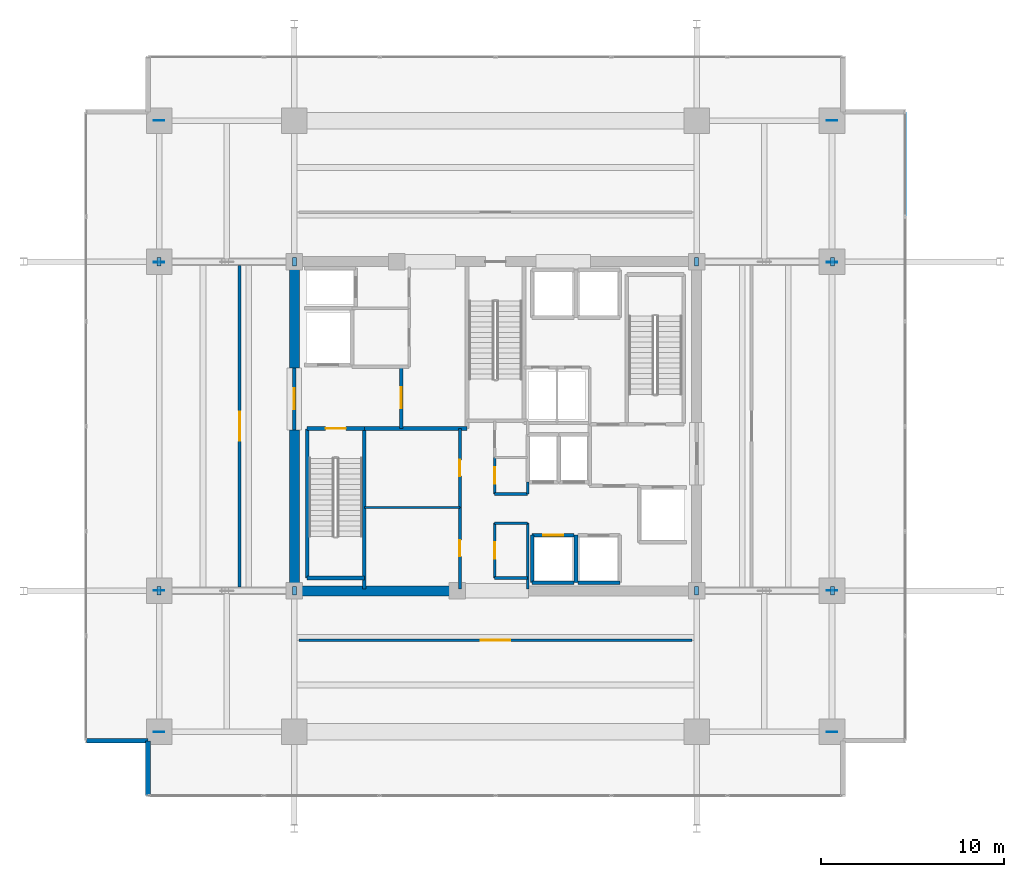
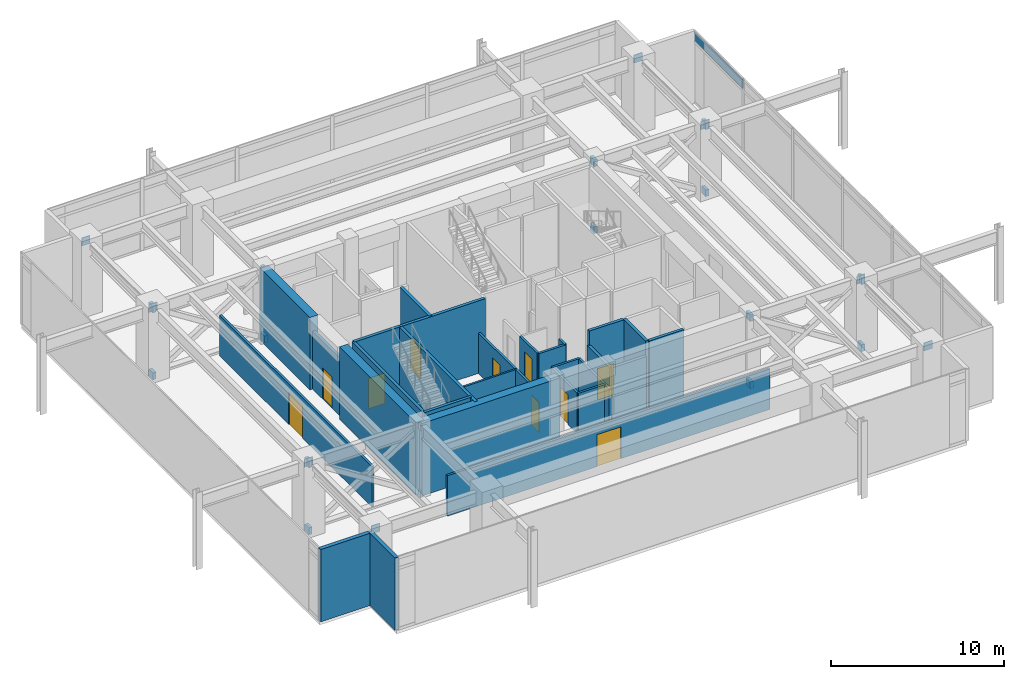
# One storey, part 18 of 21: 29 walls, 25 plates, 10 doors, 10 openings, 1 element without a shape of its own.
"""IFC4 building model written with IfcOpenShell, lengths in metres."""

from ifc_helpers import new_model, si_unit, direction, frame, frame_2d, origin, origin_2d, place, context, subcontext, project, spatial, rectangle, extrude, material, layer, layer_set, type_object, element, fill, aggregate, save


model = new_model("IFC4")

# Units and contexts
model_context = context("Model", 3, precision=1e-05, world=origin(), true_north=direction((0.0, 1.0)))
body_context = subcontext(model_context, "Body", "Model", "MODEL_VIEW")
ifc_project = project(units=[si_unit("LENGTHUNIT", "METRE"), si_unit("AREAUNIT", "SQUARE_METRE"), si_unit("VOLUMEUNIT", "CUBIC_METRE"), si_unit("PLANEANGLEUNIT", "RADIAN"), si_unit("MASSUNIT", "GRAM", prefix="KILO")], contexts=[model_context])

# Site, building, storey
site_placement = place(None, origin())
site = spatial("IfcSite", under=ifc_project, at=site_placement, CompositionType="ELEMENT")
building_placement = place(site_placement, origin())
building = spatial("IfcBuilding", under=site, at=building_placement, Name="Kovane Verandah Tower", CompositionType="ELEMENT")
storey_placement = place(building_placement, frame((0.0, 0.0, 189.39990234375)))
storey = spatial("IfcBuildingStorey", under=building, at=storey_placement, Name="L44", CompositionType="ELEMENT", Elevation=189.39990234375)

# Plates
ifc_material_1 = material(Name="Steel S460", Category="steel")
ifc_layer_1 = layer(ifc_material_1, 0.050048828125)
ifc_layer_set_1 = layer_set([ifc_layer_1], Name="Steel S460")
plate_type_1 = type_object("IfcPlateType", Name="PL-CAP-50", PredefinedType="SHEET", material=ifc_layer_set_1)
for number, where, z_axis, x_axis, name in (
    (1, (29.016845703125, 18.5, -0.130615234375), (0.0, 0.0, 1.0), (-1.0, 0.0, 0.0), "OT-D1-OW1-L44-P0"),
    (2, (21.5830078125, 18.5, 4.5908203125), (0.0, 0.0, 1.0), (-1.0, 0.0, 0.0), "OT-D1-OW1-L44-P1"),
    (3, (21.5830078125, 18.5, -0.130615234375), (0.0, 0.0, 1.0), (1.0, 0.0, 0.0), "OT-D2A-OW1-L44-P0"),
    (4, (29.016845703125, 18.5, 4.5908203125), (0.0, 0.0, 1.0), (1.0, 0.0, 0.0), "OT-D2B-OW1-L44-P1"),
    (5, (29.016845703125, 36.5, -0.130615234375), (0.0, 0.0, 1.0), (-1.0, 0.0, 0.0), "OT-D1-OW2-L44-P0"),
    (6, (21.5830078125, 36.5, 4.5908203125), (0.0, 0.0, 1.0), (-1.0, 0.0, 0.0), "OT-D1-OW2-L44-P1"),
    (7, (21.5830078125, 36.5, -0.130615234375), (0.0, 0.0, 1.0), (1.0, 0.0, 0.0), "OT-D2A-OW2-L44-P0"),
    (8, (29.016845703125, 36.5, 4.5908203125), (0.0, 0.0, 1.0), (1.0, 0.0, 0.0), "OT-D2B-OW2-L44-P1"),
    (9, (50.983154296875, 18.5, -0.130615234375), (0.0, 0.0, 1.0), (1.0, 0.0, 0.0), "OT-D1-OE1-L44-P0"),
    (10, (58.4169921875, 18.5, 4.5908203125), (0.0, 0.0, 1.0), (1.0, 0.0, 0.0), "OT-D1-OE1-L44-P1"),
    (11, (58.4169921875, 18.5, -0.130615234375), (0.0, 0.0, 1.0), (-1.0, 0.0, 0.0), "OT-D2A-OE1-L44-P0"),
    (12, (50.983154296875, 18.5, 4.5908203125), (0.0, 0.0, 1.0), (-1.0, 0.0, 0.0), "OT-D2B-OE1-L44-P1"),
    (13, (50.983154296875, 36.5, -0.130615234375), (0.0, 0.0, 1.0), (1.0, 0.0, 0.0), "OT-D1-OE2-L44-P0"),
    (14, (58.4169921875, 36.5, 4.5908203125), (0.0, 0.0, 1.0), (1.0, 0.0, 0.0), "OT-D1-OE2-L44-P1"),
    (15, (58.4169921875, 36.5, -0.130615234375), (0.0, 0.0, 1.0), (-1.0, 0.0, 0.0), "OT-D2A-OE2-L44-P0"),
    (16, (50.983154296875, 36.5, 4.5908203125), (0.0, 0.0, 1.0), (-1.0, 0.0, 0.0), "OT-D2B-OE2-L44-P1"),
):
    element("IfcPlate", number, at=place(storey_placement, frame(where, z_axis=z_axis, x_axis=x_axis)), inside=storey, type_object=plate_type_1, Name=name, PredefinedType="SHEET", context=body_context, shape_type="SweptSolid", body=[
        extrude(rectangle(XDim=0.219970703125, YDim=0.47998046875, at=origin_2d()), origin(), (0.0, 0.0, 1.0), 0.47998046875),
    ])
for number, where, z_axis, x_axis, name in (
    (17, (21.60009765625, 10.780029296875, 4.5400390625), (0.0, 0.0, 1.0), (0.0, 1.0, 0.0), "BT-CH-BW1-L44-P0"),
    (18, (21.60009765625, 18.52001953125, 4.5400390625), (0.0, 0.0, 1.0), (0.0, 1.0, 0.0), "BT-CH-BW1-L44-P1"),
    (19, (21.60009765625, 36.47998046875, 4.5400390625), (0.0, 0.0, 1.0), (0.0, 1.0, 0.0), "BT-CH-BW2-L44-P0"),
    (20, (21.60009765625, 44.219970703125, 4.5400390625), (0.0, 0.0, 1.0), (0.0, 1.0, 0.0), "BT-CH-BW2-L44-P1"),
    (21, (58.39990234375, 10.780029296875, 4.5400390625), (0.0, 0.0, 1.0), (0.0, 1.0, 0.0), "BT-CH-BE1-L44-P0"),
    (22, (58.39990234375, 18.52001953125, 4.5400390625), (0.0, 0.0, 1.0), (0.0, 1.0, 0.0), "BT-CH-BE1-L44-P1"),
    (23, (58.39990234375, 36.47998046875, 4.5400390625), (0.0, 0.0, 1.0), (0.0, 1.0, 0.0), "BT-CH-BE2-L44-P0"),
    (24, (58.39990234375, 44.219970703125, 4.5400390625), (0.0, 0.0, 1.0), (0.0, 1.0, 0.0), "BT-CH-BE2-L44-P1"),
):
    element("IfcPlate", number, at=place(storey_placement, frame(where, z_axis=z_axis, x_axis=x_axis)), inside=storey, type_object=plate_type_1, Name=name, PredefinedType="SHEET", context=body_context, shape_type="SweptSolid", body=[
        extrude(rectangle(XDim=0.050048828125, YDim=0.56005859375, at=origin_2d()), origin(), (0.0, 0.0, 1.0), 0.56005859375),
    ])

# Curtain wall, plate
ifc_material_2 = material(Name="Champagne Anodised Aluminium Frame with Low-E Clear Laminated Glass", Category="aluminium")
curtain_wall_type = type_object("IfcCurtainWallType", Name="CW-SYS-04-WAIST", PredefinedType="NOTDEFINED", material=ifc_material_2)
curtain_wall_placement = place(storey_placement, origin())
curtain_wall = element("IfcCurtainWall", 25, at=curtain_wall_placement, inside=storey, type_object=curtain_wall_type, Name="L44 E Unitised Curtain Wall", PredefinedType="NOTDEFINED")
ifc_material_3 = material(Name="Pale Champagne Anodised Aluminium Insulated Spandrel", Category="aluminium")
ifc_layer_2 = layer(ifc_material_3, 0.0400390625)
ifc_layer_set_2 = layer_set([ifc_layer_2], Name="Pale Champagne Anodised Aluminium Insulated Spandrel")
plate_type_2 = type_object("IfcPlateType", Name="PL-CW-SPD-40", PredefinedType="SHEET", material=ifc_layer_set_2)
plate_placement = place(storey_placement, frame((62.39990234375, 41.833251953125, 4.3701171875), z_axis=(0.0, 0.0, 1.0), x_axis=(0.0, 1.0, 0.0)))
plate = element("IfcPlate", 26, at=plate_placement, type_object=plate_type_2, Name="L44 E Unitised Curtain Wall Spandrel Panel 6", PredefinedType="SHEET", context=body_context, shape_type="SweptSolid", body=[
    extrude(rectangle(XDim=5.59326171875, YDim=0.0400390625, at=origin_2d()), origin(), (0.0, 0.0, 1.0), 0.639892578125),
])
aggregate(curtain_wall, [plate])

# Walls
ifc_material_4 = material(Name="Fire-Rated Gypsum Stud Partition", Category="gypsum")
ifc_layer_3 = layer(ifc_material_4, 0.14990234375)
ifc_layer_set_3 = layer_set([ifc_layer_3], Name="Fire-Rated Gypsum Stud Partition")
wall_type_1 = type_object("IfcWallType", Name="WL-COR-150", PredefinedType="PARTITIONING", material=ifc_layer_set_3)
for number, where, z_axis, x_axis, name in (
    (27, (39.949951171875, 19.199951171875, 0.0), (0.0, 0.0, 1.0), (1.0, 0.0, 0.0), "L44 Central Core Strip South Wall"),
    (28, (39.949951171875, 22.199951171875, 0.0), (0.0, 0.0, 1.0), (1.0, 0.0, 0.0), "L44 Core Cross-Passage South Wall"),
    (29, (39.949951171875, 23.800048828125, 0.0), (0.0, 0.0, 1.0), (1.0, 0.0, 0.0), "L44 Core Cross-Passage North Wall"),
):
    element("IfcWall", number, at=place(storey_placement, frame(where, z_axis=z_axis, x_axis=x_axis)), inside=storey, type_object=wall_type_1, Name=name, PredefinedType="PARTITIONING", context=body_context, shape_type="SweptSolid", body=[
        extrude(rectangle(XDim=1.81005859375, YDim=0.14990234375, at=frame_2d((0.905029296875, 0.0))), origin(), (0.0, 0.0, 1.0), 2.85009765625),
    ])
wall_1_placement = place(storey_placement, frame((41.760009765625, 18.60009765625, 0.0), z_axis=(0.0, 0.0, 1.0), x_axis=(0.0, 1.0, 0.0)))
element("IfcWall", 30, at=wall_1_placement, inside=storey, type_object=wall_type_1, Name="L44 Central Core Strip Lower East Wall", PredefinedType="PARTITIONING", context=body_context, shape_type="SweptSolid", body=[
    extrude(rectangle(XDim=3.599853515625, YDim=0.14990234375, at=frame_2d((1.7998046875, 0.0))), origin(), (0.0, 0.0, 1.0), 2.85009765625),
])
wall_2_placement = place(storey_placement, frame((41.760009765625, 23.800048828125, 0.0), z_axis=(0.0, 0.0, 1.0), x_axis=(0.0, 1.0, 0.0)))
element("IfcWall", 31, at=wall_2_placement, inside=storey, type_object=wall_type_1, Name="L44 Central Core Strip Middle East Wall", PredefinedType="PARTITIONING", context=body_context, shape_type="SweptSolid", body=[
    extrude(rectangle(XDim=0.64990234375, YDim=0.14990234375, at=frame_2d((0.324951171875, 0.0))), origin(), (0.0, 0.0, 1.0), 2.85009765625),
])

# Wall, opening, door
wall_3_placement = place(storey_placement, frame((39.949951171875, 19.199951171875, 0.0), z_axis=(0.0, 0.0, 1.0), x_axis=(0.0, 1.0, 0.0)))
wall_3 = element("IfcWall", 32, at=wall_3_placement, inside=storey, type_object=wall_type_1, Name="L44 Male Toilet Partition", PredefinedType="PARTITIONING", context=body_context, shape_type="SweptSolid", body=[
    extrude(rectangle(XDim=3.0, YDim=0.14990234375, at=frame_2d((1.5, 0.0))), origin(), (0.0, 0.0, 1.0), 2.85009765625),
])
opening_1_placement = place(wall_3_placement, frame((1.050048828125, 0.0, 0.0)))
opening_1 = element("IfcOpeningElement", 33, at=opening_1_placement, cuts=wall_3, Name="Opening DR-L44-021", PredefinedType="OPENING", context=body_context, shape_type="SweptSolid", body=[
    extrude(rectangle(XDim=0.89990234375, YDim=2.10009765625, at=frame_2d((0.449951171875, 1.050048828125))), frame((0.0, 0.074951171875, 0.0), z_axis=(0.0, -1.0, 0.0), x_axis=(1.0, 0.0, 0.0)), (0.0, 0.0, 1.0), 0.14990234375),
])
ifc_material_5 = material(Name="Moisture-Resistant Laminate Washroom Door", Category="wood")
door_type_1 = type_object("IfcDoorType", Name="DR-WC-900", OperationType="SINGLE_SWING_LEFT", PredefinedType="DOOR", material=ifc_material_5)
door_1_placement = place(opening_1_placement, origin())
door_1 = element("IfcDoor", 34, at=door_1_placement, inside=storey, type_object=door_type_1, Name="L44 Male Toilet Door", OperationType="SINGLE_SWING_RIGHT", OverallHeight=2.10009765625, OverallWidth=0.89990234375, PredefinedType="DOOR", context=body_context, shape_type="SweptSolid", body=[
    extrude(rectangle(XDim=0.89990234375, YDim=2.10009765625, at=frame_2d((0.449951171875, 1.050048828125))), frame((0.0, 0.02490234375, 0.0), z_axis=(0.0, -1.0, 0.0), x_axis=(1.0, 0.0, 0.0)), (0.0, 0.0, 1.0), 0.050048828125),
])
fill(opening_1, door_1)

wall_4_placement = place(storey_placement, frame((39.949951171875, 23.800048828125, 0.0), z_axis=(0.0, 0.0, 1.0), x_axis=(0.0, 1.0, 0.0)))
wall_4 = element("IfcWall", 35, at=wall_4_placement, inside=storey, type_object=wall_type_1, Name="L44 Female Toilet Partition", PredefinedType="PARTITIONING", context=body_context, shape_type="SweptSolid", body=[
    extrude(rectangle(XDim=2.0, YDim=0.14990234375, at=frame_2d((1.0, 0.0))), origin(), (0.0, 0.0, 1.0), 2.85009765625),
])
opening_2_placement = place(wall_4_placement, frame((0.550048828125, 0.0, 0.0)))
opening_2 = element("IfcOpeningElement", 36, at=opening_2_placement, cuts=wall_4, Name="Opening DR-L44-020", PredefinedType="OPENING", context=body_context, shape_type="SweptSolid", body=[
    extrude(rectangle(XDim=0.89990234375, YDim=2.10009765625, at=frame_2d((0.449951171875, 1.050048828125))), frame((0.0, 0.074951171875, 0.0), z_axis=(0.0, -1.0, 0.0), x_axis=(1.0, 0.0, 0.0)), (0.0, 0.0, 1.0), 0.14990234375),
])
door_2_placement = place(opening_2_placement, origin())
door_2 = element("IfcDoor", 37, at=door_2_placement, inside=storey, type_object=door_type_1, Name="L44 Female Toilet Door", OperationType="SINGLE_SWING_LEFT", OverallHeight=2.10009765625, OverallWidth=0.89990234375, PredefinedType="DOOR", context=body_context, shape_type="SweptSolid", body=[
    extrude(rectangle(XDim=0.89990234375, YDim=2.10009765625, at=frame_2d((0.449951171875, 1.050048828125))), frame((0.0, 0.02490234375, 0.0), z_axis=(0.0, -1.0, 0.0), x_axis=(1.0, 0.0, 0.0)), (0.0, 0.0, 1.0), 0.050048828125),
])
fill(opening_2, door_2)

wall_5_placement = place(storey_placement, frame((38.050048828125, 18.60009765625, 0.0), z_axis=(0.0, 0.0, 1.0), x_axis=(0.0, 1.0, 0.0)))
wall_5 = element("IfcWall", 38, at=wall_5_placement, inside=storey, type_object=wall_type_1, Name="L44 Core Mechanical Fan Plant Room Partition", PredefinedType="PARTITIONING", context=body_context, shape_type="SweptSolid", body=[
    extrude(rectangle(XDim=4.4599609375, YDim=0.14990234375, at=frame_2d((2.22998046875, 0.0))), origin(), (0.0, 0.0, 1.0), 2.85009765625),
])
opening_3_placement = place(wall_5_placement, frame((1.7900390625, 0.0, 0.0)))
opening_3 = element("IfcOpeningElement", 39, at=opening_3_placement, cuts=wall_5, Name="Opening DR-L44-011", PredefinedType="OPENING", context=body_context, shape_type="SweptSolid", body=[
    extrude(rectangle(XDim=0.8798828125, YDim=2.10009765625, at=frame_2d((0.43994140625, 1.050048828125))), frame((0.0, 0.074951171875, 0.0), z_axis=(0.0, -1.0, 0.0), x_axis=(1.0, 0.0, 0.0)), (0.0, 0.0, 1.0), 0.14990234375),
])
ifc_material_6 = material(Name="Fire-Rated Steel Riser Access Door", Category="steel")
door_type_2 = type_object("IfcDoorType", Name="DR-RISER-880", OperationType="SINGLE_SWING_LEFT", PredefinedType="DOOR", material=ifc_material_6)
door_3_placement = place(opening_3_placement, origin())
door_3 = element("IfcDoor", 40, at=door_3_placement, inside=storey, type_object=door_type_2, Name="L44 Core Mechanical Fan Plant Room Door", OperationType="SINGLE_SWING_LEFT", OverallHeight=2.10009765625, OverallWidth=0.8798828125, PredefinedType="DOOR", context=body_context, shape_type="SweptSolid", body=[
    extrude(rectangle(XDim=0.8798828125, YDim=2.10009765625, at=frame_2d((0.43994140625, 1.050048828125))), frame((0.0, 0.02490234375, 0.0), z_axis=(0.0, -1.0, 0.0), x_axis=(1.0, 0.0, 0.0)), (0.0, 0.0, 1.0), 0.050048828125),
])
fill(opening_3, door_3)

wall_6_placement = place(storey_placement, frame((38.050048828125, 23.06005859375, 0.0), z_axis=(0.0, 0.0, 1.0), x_axis=(0.0, 1.0, 0.0)))
wall_6 = element("IfcWall", 41, at=wall_6_placement, inside=storey, type_object=wall_type_1, Name="L44 Core Electrical Switchgear Plant Room Partition", PredefinedType="PARTITIONING", context=body_context, shape_type="SweptSolid", body=[
    extrude(rectangle(XDim=4.31982421875, YDim=0.14990234375, at=frame_2d((2.159912109375, 0.0))), origin(), (0.0, 0.0, 1.0), 2.85009765625),
])
opening_4_placement = place(wall_6_placement, frame((1.719970703125, 0.0, 0.0)))
opening_4 = element("IfcOpeningElement", 42, at=opening_4_placement, cuts=wall_6, Name="Opening DR-L44-012", PredefinedType="OPENING", context=body_context, shape_type="SweptSolid", body=[
    extrude(rectangle(XDim=0.8798828125, YDim=2.10009765625, at=frame_2d((0.43994140625, 1.050048828125))), frame((0.0, 0.074951171875, 0.0), z_axis=(0.0, -1.0, 0.0), x_axis=(1.0, 0.0, 0.0)), (0.0, 0.0, 1.0), 0.14990234375),
])
door_4_placement = place(opening_4_placement, origin())
door_4 = element("IfcDoor", 43, at=door_4_placement, inside=storey, type_object=door_type_2, Name="L44 Core Electrical Switchgear Plant Room Door", OperationType="SINGLE_SWING_RIGHT", OverallHeight=2.10009765625, OverallWidth=0.8798828125, PredefinedType="DOOR", context=body_context, shape_type="SweptSolid", body=[
    extrude(rectangle(XDim=0.8798828125, YDim=2.10009765625, at=frame_2d((0.43994140625, 1.050048828125))), frame((0.0, 0.02490234375, 0.0), z_axis=(0.0, -1.0, 0.0), x_axis=(1.0, 0.0, 0.0)), (0.0, 0.0, 1.0), 0.050048828125),
])
fill(opening_4, door_4)

wall_7_placement = place(storey_placement, frame((29.25, 15.800048828125, 0.0), z_axis=(0.0, 0.0, 1.0), x_axis=(1.0, 0.0, 0.0)))
wall_7 = element("IfcWall", 44, at=wall_7_placement, inside=storey, type_object=wall_type_1, Name="L44 Chilled Water Plant Room South Corridor Partition", PredefinedType="PARTITIONING", context=body_context, shape_type="SweptSolid", body=[
    extrude(rectangle(XDim=21.5, YDim=0.14990234375, at=frame_2d((10.75, 0.0))), origin(), (0.0, 0.0, 1.0), 2.85009765625),
])
opening_5_placement = place(wall_7_placement, frame((9.949951171875, 0.0, 0.0)))
opening_5 = element("IfcOpeningElement", 45, at=opening_5_placement, cuts=wall_7, Name="Opening DR-L44-016", PredefinedType="OPENING", context=body_context, shape_type="SweptSolid", body=[
    extrude(rectangle(XDim=1.60009765625, YDim=2.25, at=frame_2d((0.800048828125, 1.125))), frame((0.0, 0.074951171875, 0.0), z_axis=(0.0, -1.0, 0.0), x_axis=(1.0, 0.0, 0.0)), (0.0, 0.0, 1.0), 0.14990234375),
])
ifc_material_7 = material(Name="Louvred Acoustic Steel Double Plant Door", Category="steel")
door_type_3 = type_object("IfcDoorType", Name="DR-PLANT-1600", OperationType="DOUBLE_DOOR_SINGLE_SWING", PredefinedType="DOOR", material=ifc_material_7)
door_5_placement = place(opening_5_placement, origin())
door_5 = element("IfcDoor", 46, at=door_5_placement, inside=storey, type_object=door_type_3, Name="L44 Chilled Water Plant Room South Entrance Door", OperationType="DOUBLE_DOOR_SINGLE_SWING", OverallHeight=2.25, OverallWidth=1.60009765625, PredefinedType="DOOR", context=body_context, shape_type="SweptSolid", body=[
    extrude(rectangle(XDim=1.60009765625, YDim=2.25, at=frame_2d((0.800048828125, 1.125))), frame((0.0, 0.02490234375, 0.0), z_axis=(0.0, -1.0, 0.0), x_axis=(1.0, 0.0, 0.0)), (0.0, 0.0, 1.0), 0.050048828125),
])
fill(opening_5, door_5)

wall_8_placement = place(storey_placement, frame((26.0, 18.699951171875, 0.0), z_axis=(0.0, 0.0, 1.0), x_axis=(0.0, 1.0, 0.0)))
wall_8 = element("IfcWall", 47, at=wall_8_placement, inside=storey, type_object=wall_type_1, Name="L44 Outrigger Mechanical Plant Room West Corridor Partition", PredefinedType="PARTITIONING", context=body_context, shape_type="SweptSolid", body=[
    extrude(rectangle(XDim=17.60009765625, YDim=0.14990234375, at=frame_2d((8.800048828125, 0.0))), origin(), (0.0, 0.0, 1.0), 2.85009765625),
])
opening_6_placement = place(wall_8_placement, frame((8.0, 0.0, 0.0)))
opening_6 = element("IfcOpeningElement", 48, at=opening_6_placement, cuts=wall_8, Name="Opening DR-L44-018", PredefinedType="OPENING", context=body_context, shape_type="SweptSolid", body=[
    extrude(rectangle(XDim=1.60009765625, YDim=2.25, at=frame_2d((0.800048828125, 1.125))), frame((0.0, 0.074951171875, 0.0), z_axis=(0.0, -1.0, 0.0), x_axis=(1.0, 0.0, 0.0)), (0.0, 0.0, 1.0), 0.14990234375),
])
door_6_placement = place(opening_6_placement, origin())
door_6 = element("IfcDoor", 49, at=door_6_placement, inside=storey, type_object=door_type_3, Name="L44 Outrigger Mechanical Plant Room West Entrance Door", OperationType="DOUBLE_DOOR_SINGLE_SWING", OverallHeight=2.25, OverallWidth=1.60009765625, PredefinedType="DOOR", context=body_context, shape_type="SweptSolid", body=[
    extrude(rectangle(XDim=1.60009765625, YDim=2.25, at=frame_2d((0.800048828125, 1.125))), frame((0.0, 0.02490234375, 0.0), z_axis=(0.0, -1.0, 0.0), x_axis=(1.0, 0.0, 0.0)), (0.0, 0.0, 1.0), 0.050048828125),
])
fill(opening_6, door_6)

# Walls
ifc_material_8 = material(Name="Concrete C60/75", Category="concrete")
ifc_layer_4 = layer(ifc_material_8, 0.550048828125)
ifc_layer_set_4 = layer_set([ifc_layer_4], Name="Concrete C60/75")
wall_type_2 = type_object("IfcWallType", Name="WL-CORE-550", PredefinedType="SHEAR", material=ifc_layer_set_4)
wall_9_placement = place(storey_placement, frame((29.0, 18.5, 0.0), z_axis=(0.0, 0.0, 1.0), x_axis=(1.0, 0.0, 0.0)))
element("IfcWall", 50, at=wall_9_placement, inside=storey, type_object=wall_type_2, Name="L44 Core Shear Wall CS-1", PredefinedType="SHEAR", context=body_context, shape_type="SweptSolid", body=[
    extrude(rectangle(XDim=9.199951171875, YDim=0.550048828125, at=frame_2d((4.60009765625, 0.0))), origin(), (0.0, 0.0, 1.0), 5.10009765625),
])
wall_10_placement = place(storey_placement, frame((29.0, 18.5, 0.0), z_axis=(0.0, 0.0, 1.0), x_axis=(0.0, 1.0, 0.0)))
element("IfcWall", 51, at=wall_10_placement, inside=storey, type_object=wall_type_2, Name="L44 Core Shear Wall CW-1", PredefinedType="SHEAR", context=body_context, shape_type="SweptSolid", body=[
    extrude(rectangle(XDim=8.800048828125, YDim=0.550048828125, at=frame_2d((4.39990234375, 0.0))), origin(), (0.0, 0.0, 1.0), 5.10009765625),
])
wall_11_placement = place(storey_placement, frame((29.0, 30.699951171875, 0.0), z_axis=(0.0, 0.0, 1.0), x_axis=(0.0, 1.0, 0.0)))
element("IfcWall", 52, at=wall_11_placement, inside=storey, type_object=wall_type_2, Name="L44 Core Shear Wall CW-2", PredefinedType="SHEAR", context=body_context, shape_type="SweptSolid", body=[
    extrude(rectangle(XDim=5.800048828125, YDim=0.550048828125, at=frame_2d((2.89990234375, 0.0))), origin(), (0.0, 0.0, 1.0), 5.10009765625),
])

# Wall, opening, door
ifc_material_9 = material(Name="Concrete C45/55 Fire Wall", Category="concrete")
ifc_layer_5 = layer(ifc_material_9, 0.199951171875)
ifc_layer_set_5 = layer_set([ifc_layer_5], Name="Concrete C45/55 Fire Wall")
wall_type_3 = type_object("IfcWallType", Name="WL-FFL-200", PredefinedType="PARTITIONING", material=ifc_layer_set_5)
wall_12_placement = place(storey_placement, frame((34.85009765625, 27.3798828125, 0.0), z_axis=(0.0, 0.0, 1.0), x_axis=(0.0, 1.0, 0.0)))
wall_12 = element("IfcWall", 53, at=wall_12_placement, inside=storey, type_object=wall_type_3, Name="W-L44-FFLW-E", PredefinedType="PARTITIONING", context=body_context, shape_type="SweptSolid", body=[
    extrude(rectangle(XDim=3.3701171875, YDim=0.199951171875, at=frame_2d((1.68505859375, 0.0))), origin(), (0.0, 0.0, 1.0), 5.10009765625),
])
opening_7_placement = place(wall_12_placement, frame((1.110107421875, 0.0, 0.0)))
opening_7 = element("IfcOpeningElement", 54, at=opening_7_placement, cuts=wall_12, Name="Opening DR-L44-004", PredefinedType="OPENING", context=body_context, shape_type="SweptSolid", body=[
    extrude(rectangle(XDim=1.14990234375, YDim=2.199951171875, at=frame_2d((0.574951171875, 1.10009765625))), frame((0.0, 0.10009765625, 0.0), z_axis=(0.0, -1.0, 0.0), x_axis=(1.0, 0.0, 0.0)), (0.0, 0.0, 1.0), 0.199951171875),
])
ifc_material_10 = material(Name="Smoke-Sealed Firefighting Lobby Door", Category="steel")
door_type_4 = type_object("IfcDoorType", Name="DR-FFL-1150", OperationType="SINGLE_SWING_LEFT", PredefinedType="DOOR", material=ifc_material_10)
door_7_placement = place(opening_7_placement, origin())
door_7 = element("IfcDoor", 55, at=door_7_placement, inside=storey, type_object=door_type_4, Name="L44 West Firefighting Lobby Inner Door", OperationType="SINGLE_SWING_LEFT", OverallHeight=2.199951171875, OverallWidth=1.14990234375, PredefinedType="DOOR", context=body_context, shape_type="SweptSolid", body=[
    extrude(rectangle(XDim=1.14990234375, YDim=2.199951171875, at=frame_2d((0.574951171875, 1.10009765625))), frame((0.0, 0.02490234375, 0.0), z_axis=(0.0, -1.0, 0.0), x_axis=(1.0, 0.0, 0.0)), (0.0, 0.0, 1.0), 0.050048828125),
])
fill(opening_7, door_7)

wall_13_placement = place(storey_placement, frame((29.0, 27.300048828125, 0.0), z_axis=(0.0, 0.0, 1.0), x_axis=(0.0, 1.0, 0.0)))
wall_13 = element("IfcWall", 56, at=wall_13_placement, inside=storey, type_object=wall_type_3, Name="W-L44-FFLW-OUT", PredefinedType="PARTITIONING", context=body_context, shape_type="SweptSolid", body=[
    extrude(rectangle(XDim=3.39990234375, YDim=0.199951171875, at=frame_2d((1.699951171875, 0.0))), origin(), (0.0, 0.0, 1.0), 4.080078125),
])
opening_8_placement = place(wall_13_placement, frame((1.125, 0.0, 0.0)))
opening_8 = element("IfcOpeningElement", 57, at=opening_8_placement, cuts=wall_13, Name="Opening DR-L44-005", PredefinedType="OPENING", context=body_context, shape_type="SweptSolid", body=[
    extrude(rectangle(XDim=1.14990234375, YDim=2.199951171875, at=frame_2d((0.574951171875, 1.10009765625))), frame((0.0, 0.10009765625, 0.0), z_axis=(0.0, -1.0, 0.0), x_axis=(1.0, 0.0, 0.0)), (0.0, 0.0, 1.0), 0.199951171875),
])
door_8_placement = place(opening_8_placement, origin())
door_8 = element("IfcDoor", 58, at=door_8_placement, inside=storey, type_object=door_type_4, Name="L44 West Firefighting Lobby Corridor Door", OperationType="SINGLE_SWING_RIGHT", OverallHeight=2.199951171875, OverallWidth=1.14990234375, PredefinedType="DOOR", context=body_context, shape_type="SweptSolid", body=[
    extrude(rectangle(XDim=1.14990234375, YDim=2.199951171875, at=frame_2d((0.574951171875, 1.10009765625))), frame((0.0, 0.02490234375, 0.0), z_axis=(0.0, -1.0, 0.0), x_axis=(1.0, 0.0, 0.0)), (0.0, 0.0, 1.0), 0.050048828125),
])
fill(opening_8, door_8)

# Walls
wall_14_placement = place(storey_placement, frame((32.820068359375, 27.3798828125, 0.0), z_axis=(0.0, 0.0, 1.0), x_axis=(1.0, 0.0, 0.0)))
element("IfcWall", 59, at=wall_14_placement, inside=storey, type_object=wall_type_3, Name="L44 West Firefighting Lobby South Fire Wall", PredefinedType="PARTITIONING", context=body_context, shape_type="SweptSolid", body=[
    extrude(rectangle(XDim=5.619873046875, YDim=0.199951171875, at=frame_2d((2.81005859375, 0.0))), origin(), (0.0, 0.0, 1.0), 5.10009765625),
])
ifc_material_11 = material(Name="Concrete C45/55 Lift Shaft Wall", Category="concrete")
ifc_layer_6 = layer(ifc_material_11, 0.199951171875)
ifc_layer_set_6 = layer_set([ifc_layer_6], Name="Concrete C45/55 Lift Shaft Wall")
wall_type_4 = type_object("IfcWallType", Name="WL-LIFT-200", PredefinedType="SOLIDWALL", material=ifc_layer_set_6)
wall_15_placement = place(storey_placement, frame((42.0, 18.949951171875, 0.0), z_axis=(0.0, 0.0, 1.0), x_axis=(1.0, 0.0, 0.0)))
element("IfcWall", 60, at=wall_15_placement, inside=storey, type_object=wall_type_4, Name="L44 Lift PL-M1 S Shaft Wall", PredefinedType="SOLIDWALL", context=body_context, shape_type="SweptSolid", body=[
    extrude(rectangle(XDim=2.300048828125, YDim=0.199951171875, at=frame_2d((1.14990234375, 0.0))), origin(), (0.0, 0.0, 1.0), 4.080078125),
])

# Wall, opening, door
wall_16_placement = place(storey_placement, frame((44.300048828125, 21.550048828125, 0.0), z_axis=(0.0, 0.0, 1.0), x_axis=(-1.0, 0.0, 0.0)))
wall_16 = element("IfcWall", 61, at=wall_16_placement, inside=storey, type_object=wall_type_4, Name="L44 Lift PL-M1 N Shaft Wall", PredefinedType="SOLIDWALL", context=body_context, shape_type="SweptSolid", body=[
    extrude(rectangle(XDim=2.300048828125, YDim=0.199951171875, at=frame_2d((1.14990234375, 0.0))), origin(), (0.0, 0.0, 1.0), 5.10009765625),
])
opening_9_placement = place(wall_16_placement, frame((0.60009765625, 0.0, 0.0)))
opening_9 = element("IfcOpeningElement", 62, at=opening_9_placement, cuts=wall_16, Name="Opening LD-L44-004", PredefinedType="OPENING", context=body_context, shape_type="SweptSolid", body=[
    extrude(rectangle(XDim=1.10009765625, YDim=2.199951171875, at=frame_2d((0.550048828125, 1.10009765625))), frame((0.0, 0.10009765625, 0.0), z_axis=(0.0, -1.0, 0.0), x_axis=(1.0, 0.0, 0.0)), (0.0, 0.0, 1.0), 0.199951171875),
])
ifc_material_12 = material(Name="Brushed Stainless Steel Sliding Lift Landing Door", Category="steel")
door_type_5 = type_object("IfcDoorType", Name="DR-LIFT-1100", OperationType="SLIDING_TO_RIGHT", PredefinedType="DOOR", material=ifc_material_12)
door_9_placement = place(opening_9_placement, origin())
door_9 = element("IfcDoor", 63, at=door_9_placement, inside=storey, type_object=door_type_5, Name="L44 Lift PL-M1 Sliding Landing Door", OperationType="SLIDING_TO_RIGHT", OverallHeight=2.199951171875, OverallWidth=1.10009765625, PredefinedType="DOOR", context=body_context, shape_type="SweptSolid", body=[
    extrude(rectangle(XDim=1.10009765625, YDim=2.199951171875, at=frame_2d((0.550048828125, 1.10009765625))), frame((0.0, 0.02490234375, 0.0), z_axis=(0.0, -1.0, 0.0), x_axis=(1.0, 0.0, 0.0)), (0.0, 0.0, 1.0), 0.050048828125),
])
fill(opening_9, door_9)

# Walls
wall_17_placement = place(storey_placement, frame((42.0, 21.550048828125, 0.0), z_axis=(0.0, 0.0, 1.0), x_axis=(0.0, -1.0, 0.0)))
element("IfcWall", 64, at=wall_17_placement, inside=storey, type_object=wall_type_4, Name="L44 Lift PL-M1 W Shaft Wall", PredefinedType="SOLIDWALL", context=body_context, shape_type="SweptSolid", body=[
    extrude(rectangle(XDim=2.60009765625, YDim=0.199951171875, at=frame_2d((1.300048828125, 0.0))), origin(), (0.0, 0.0, 1.0), 4.080078125),
])
wall_18_placement = place(storey_placement, frame((44.39990234375, 18.949951171875, 0.0), z_axis=(0.0, 0.0, 1.0), x_axis=(0.0, 1.0, 0.0)))
element("IfcWall", 65, at=wall_18_placement, inside=storey, type_object=wall_type_4, Name="L44 Lift PL-M1 and PL-M2 Shared Shaft Wall", PredefinedType="SOLIDWALL", context=body_context, shape_type="SweptSolid", body=[
    extrude(rectangle(XDim=2.60009765625, YDim=0.199951171875, at=frame_2d((1.300048828125, 0.0))), origin(), (0.0, 0.0, 1.0), 5.10009765625),
])
wall_19_placement = place(storey_placement, frame((44.5, 18.949951171875, 0.0), z_axis=(0.0, 0.0, 1.0), x_axis=(1.0, 0.0, 0.0)))
element("IfcWall", 66, at=wall_19_placement, inside=storey, type_object=wall_type_4, Name="L44 Lift PL-M2 S Shaft Wall", PredefinedType="SOLIDWALL", context=body_context, shape_type="SweptSolid", body=[
    extrude(rectangle(XDim=2.300048828125, YDim=0.199951171875, at=frame_2d((1.14990234375, 0.0))), origin(), (0.0, 0.0, 1.0), 5.10009765625),
])
ifc_material_13 = material(Name="Acoustic Fire-Rated Gypsum Partition", Category="gypsum")
ifc_layer_7 = layer(ifc_material_13, 0.1201171875)
ifc_layer_set_7 = layer_set([ifc_layer_7], Name="Acoustic Fire-Rated Gypsum Partition")
wall_type_5 = type_object("IfcWallType", Name="WL-PART-120", PredefinedType="PARTITIONING", material=ifc_layer_set_7)
wall_20_placement = place(storey_placement, frame((32.820068359375, 23.06005859375, 0.0), z_axis=(0.0, 0.0, 1.0), x_axis=(1.0, 0.0, 0.0)))
element("IfcWall", 67, at=wall_20_placement, inside=storey, type_object=wall_type_5, Name="L44 Core Support Dividing Partition", PredefinedType="PARTITIONING", context=body_context, shape_type="SweptSolid", body=[
    extrude(rectangle(XDim=5.22998046875, YDim=0.1201171875, at=frame_2d((2.614990234375, 0.0))), origin(), (0.0, 0.0, 1.0), 2.85009765625),
])
ifc_material_14 = material(Name="Concrete C45/55", Category="concrete")
ifc_layer_8 = layer(ifc_material_14, 0.199951171875)
ifc_layer_set_8 = layer_set([ifc_layer_8], Name="Concrete C45/55")
wall_type_6 = type_object("IfcWallType", Name="WL-SHAFT-200", PredefinedType="SOLIDWALL", material=ifc_layer_set_8)
wall_21_placement = place(storey_placement, frame((29.699951171875, 19.199951171875, 0.0), z_axis=(0.0, 0.0, 1.0), x_axis=(0.0, 1.0, 0.0)))
element("IfcWall", 68, at=wall_21_placement, inside=storey, type_object=wall_type_6, Name="W-L44-ST01-W", PredefinedType="SOLIDWALL", context=body_context, shape_type="SweptSolid", body=[
    extrude(rectangle(XDim=8.150146484375, YDim=0.199951171875, at=frame_2d((4.0751953125, 0.0))), origin(), (0.0, 0.0, 1.0), 5.10009765625),
])
wall_22_placement = place(storey_placement, frame((29.699951171875, 19.199951171875, 0.0), z_axis=(0.0, 0.0, 1.0), x_axis=(1.0, 0.0, 0.0)))
element("IfcWall", 69, at=wall_22_placement, inside=storey, type_object=wall_type_6, Name="W-L44-ST01-S", PredefinedType="SOLIDWALL", context=body_context, shape_type="SweptSolid", body=[
    extrude(rectangle(XDim=3.1201171875, YDim=0.199951171875, at=frame_2d((1.56005859375, 0.0))), origin(), (0.0, 0.0, 1.0), 5.10009765625),
])
wall_23_placement = place(storey_placement, frame((32.820068359375, 18.60009765625, 0.0), z_axis=(0.0, 0.0, 1.0), x_axis=(0.0, 1.0, 0.0)))
element("IfcWall", 70, at=wall_23_placement, inside=storey, type_object=wall_type_6, Name="W-L44-ST01-E", PredefinedType="SOLIDWALL", context=body_context, shape_type="SweptSolid", body=[
    extrude(rectangle(XDim=8.77978515625, YDim=0.199951171875, at=frame_2d((4.389892578125, 0.0))), origin(), (0.0, 0.0, 1.0), 5.10009765625),
])

# Wall, opening, door
wall_24_placement = place(storey_placement, frame((29.699951171875, 27.3798828125, 0.0), z_axis=(0.0, 0.0, 1.0), x_axis=(1.0, 0.0, 0.0)))
wall_24 = element("IfcWall", 71, at=wall_24_placement, inside=storey, type_object=wall_type_6, Name="W-L44-ST01-N", PredefinedType="SOLIDWALL", context=body_context, shape_type="SweptSolid", body=[
    extrude(rectangle(XDim=3.1201171875, YDim=0.199951171875, at=frame_2d((1.56005859375, 0.0))), origin(), (0.0, 0.0, 1.0), 5.10009765625),
])
opening_10_placement = place(wall_24_placement, frame((1.010009765625, 0.0, 0.0)))
opening_10 = element("IfcOpeningElement", 72, at=opening_10_placement, cuts=wall_24, Name="Opening DR-L44-007", PredefinedType="OPENING", context=body_context, shape_type="SweptSolid", body=[
    extrude(rectangle(XDim=1.10009765625, YDim=2.14990234375, at=frame_2d((0.550048828125, 1.074951171875))), frame((0.0, 0.10009765625, 0.0), z_axis=(0.0, -1.0, 0.0), x_axis=(1.0, 0.0, 0.0)), (0.0, 0.0, 1.0), 0.199951171875),
])
ifc_material_15 = material(Name="Fire-Rated Steel Exit Door", Category="steel")
door_type_6 = type_object("IfcDoorType", Name="DR-STAIR-1100", OperationType="SINGLE_SWING_LEFT", PredefinedType="DOOR", material=ifc_material_15)
door_10_placement = place(opening_10_placement, origin())
door_10 = element("IfcDoor", 73, at=door_10_placement, inside=storey, type_object=door_type_6, Name="L44 ST-01 Fire Exit Stair Door", OperationType="SINGLE_SWING_LEFT", OverallHeight=2.14990234375, OverallWidth=1.10009765625, PredefinedType="DOOR", context=body_context, shape_type="SweptSolid", body=[
    extrude(rectangle(XDim=1.10009765625, YDim=2.14990234375, at=frame_2d((0.550048828125, 1.074951171875))), frame((0.0, 0.02490234375, 0.0), z_axis=(0.0, -1.0, 0.0), x_axis=(1.0, 0.0, 0.0)), (0.0, 0.0, 1.0), 0.050048828125),
])
fill(opening_10, door_10)

# Walls
ifc_material_16 = material(Name="Concrete C45/55 Insulated Spandrel Wall", Category="concrete")
ifc_layer_9 = layer(ifc_material_16, 0.260009765625)
ifc_layer_set_9 = layer_set([ifc_layer_9], Name="Concrete C45/55 Insulated Spandrel Wall")
wall_type_7 = type_object("IfcWallType", Name="WL-SPANDREL-260", PredefinedType="PARAPET", material=ifc_layer_set_9)
wall_25_placement = place(storey_placement, frame((17.60009765625, 10.300048828125, 0.0), z_axis=(0.0, 0.0, 1.0), x_axis=(1.0, 0.0, 0.0)))
element("IfcWall", 74, at=wall_25_placement, inside=storey, type_object=wall_type_7, Name="L44 SW Notch Cheek Wall 1", PredefinedType="PARAPET", context=body_context, shape_type="SweptSolid", body=[
    extrude(rectangle(XDim=3.39990234375, YDim=0.260009765625, at=frame_2d((1.699951171875, 0.0))), origin(), (0.0, 0.0, 1.0), 5.10009765625),
])
wall_26_placement = place(storey_placement, frame((21.0, 10.300048828125, 0.0), z_axis=(0.0, 0.0, 1.0), x_axis=(0.0, -1.0, 0.0)))
element("IfcWall", 75, at=wall_26_placement, inside=storey, type_object=wall_type_7, Name="L44 SW Notch Cheek Wall 2", PredefinedType="PARAPET", context=body_context, shape_type="SweptSolid", body=[
    extrude(rectangle(XDim=3.0, YDim=0.260009765625, at=frame_2d((1.5, 0.0))), origin(), (0.0, 0.0, 1.0), 5.10009765625),
])

save(model, "model.ifc")
